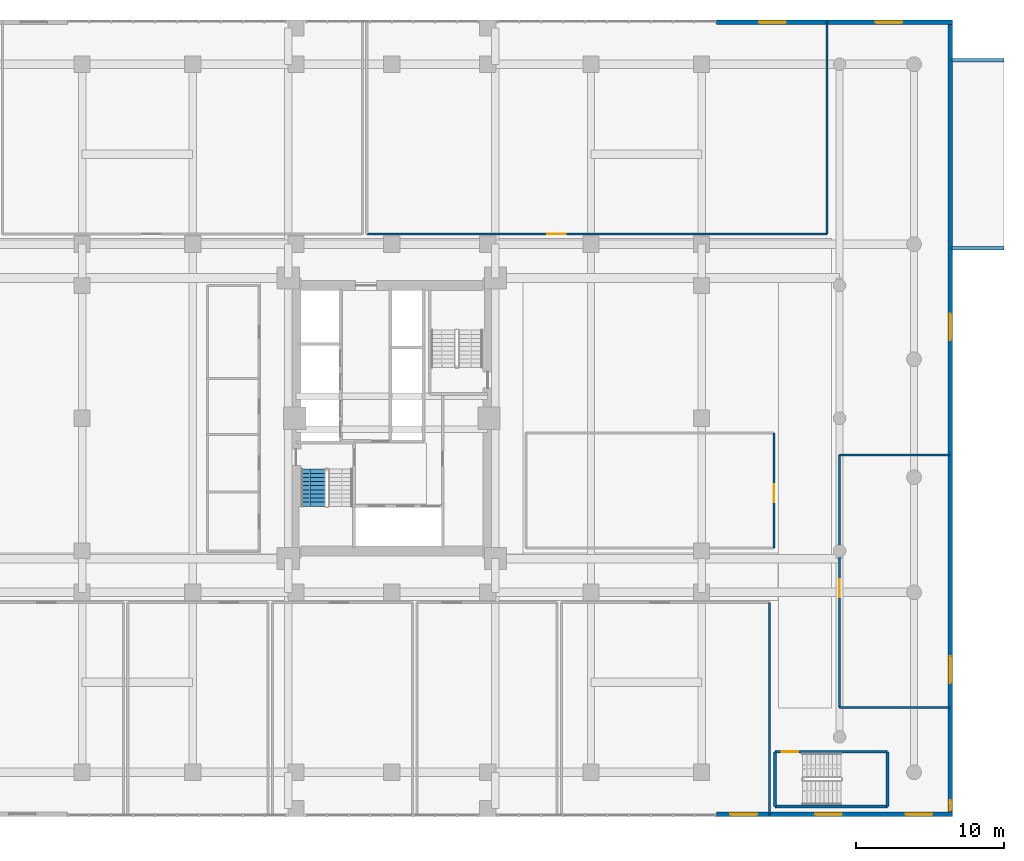
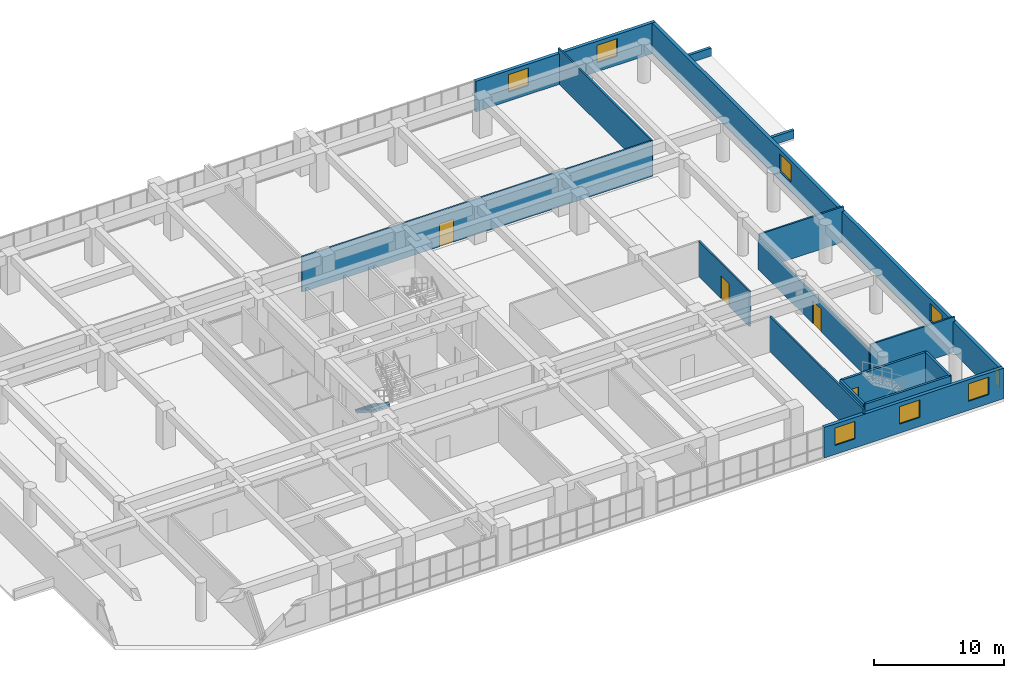
# One storey, part 18 of 27: 16 walls, 8 windows, 4 doors, 1 stair flight, 12 openings, 1 element without a shape of its own.
"""IFC4 building model written with IfcOpenShell, lengths in metres."""

from ifc_helpers import new_model, si_unit, direction, frame, frame_2d, origin, place, context, subcontext, project, spatial, polyline, rectangle, outline, extrude, source, transform, mapped, material, layer, layer_set, type_object, element, fill, aggregate, save


model = new_model("IFC4")

# Units and contexts
model_context = context("Model", 3, precision=1e-05, world=origin(), true_north=direction((0.0, 1.0)))
body_context = subcontext(model_context, "Body", "Model", "MODEL_VIEW")
ifc_project = project(units=[si_unit("LENGTHUNIT", "METRE"), si_unit("AREAUNIT", "SQUARE_METRE"), si_unit("VOLUMEUNIT", "CUBIC_METRE"), si_unit("PLANEANGLEUNIT", "RADIAN"), si_unit("MASSUNIT", "GRAM", prefix="KILO")], contexts=[model_context])

# Site, building, storey
site_placement = place(None, origin())
site = spatial("IfcSite", under=ifc_project, at=site_placement, CompositionType="ELEMENT")
building_placement = place(site_placement, origin())
building = spatial("IfcBuilding", under=site, at=building_placement, Name="Saelheon Loggia Tower", CompositionType="ELEMENT")
storey_placement = place(building_placement, frame((0.0, 0.0, 4.199951171875)))
storey = spatial("IfcBuildingStorey", under=building, at=storey_placement, Name="L01", CompositionType="ELEMENT", Elevation=4.199951171875)

# Wall, openings, windows
ifc_material_1 = material(Name="Architectural Precast Concrete C40/50", Category="concrete")
ifc_layer_1 = layer(ifc_material_1, 0.300048828125)
ifc_layer_set_1 = layer_set([ifc_layer_1], Name="Architectural Precast Concrete C40/50")
wall_type_1 = type_object("IfcWallType", Name="Wall_Ext_Podium_300", PredefinedType="SOLIDWALL", material=ifc_layer_set_1)
wall_1_placement = place(storey_placement, frame((60.0, 0.14990234375, 0.0), z_axis=(0.0, 0.0, 1.0), x_axis=(1.0, 0.0, 0.0)))
wall_1 = element("IfcWall", 1, at=wall_1_placement, inside=storey, type_object=wall_type_1, Name="L01 South-East Precast Wall", PredefinedType="SOLIDWALL", context=body_context, shape_type="SweptSolid", body=[
    extrude(rectangle(XDim=16.0, YDim=0.300048828125, at=frame_2d((8.0, 0.0))), origin(), (0.0, 0.0, 1.0), 2.880126953125),
])
opening_1_placement = place(wall_1_placement, frame((0.955078125, 0.0, 0.85009765625)))
opening_1 = element("IfcOpeningElement", 2, at=opening_1_placement, cuts=wall_1, Name="Opening WN-01", PredefinedType="OPENING", context=body_context, shape_type="SweptSolid", body=[
    extrude(rectangle(XDim=1.800048828125, YDim=1.64990234375, at=frame_2d((0.89990234375, 0.824951171875))), frame((0.0, 0.162109375, 0.0), z_axis=(0.0, -1.0, 0.0), x_axis=(1.0, 0.0, 0.0)), (0.0, 0.0, 1.0), 0.323974609375),
])
opening_2_placement = place(wall_1_placement, frame((6.705078125, 0.0, 0.85009765625)))
opening_2 = element("IfcOpeningElement", 3, at=opening_2_placement, cuts=wall_1, Name="Opening WN-01", PredefinedType="OPENING", context=body_context, shape_type="SweptSolid", body=[
    extrude(rectangle(XDim=1.800048828125, YDim=1.64990234375, at=frame_2d((0.89990234375, 0.824951171875))), frame((0.0, 0.162109375, 0.0), z_axis=(0.0, -1.0, 0.0), x_axis=(1.0, 0.0, 0.0)), (0.0, 0.0, 1.0), 0.323974609375),
])
opening_3_placement = place(wall_1_placement, frame((12.85009765625, 0.0, 0.85009765625)))
opening_3 = element("IfcOpeningElement", 4, at=opening_3_placement, cuts=wall_1, Name="Opening WN-01", PredefinedType="OPENING", context=body_context, shape_type="SweptSolid", body=[
    extrude(rectangle(XDim=1.800048828125, YDim=1.64990234375, at=frame_2d((0.89990234375, 0.824951171875))), frame((0.0, 0.162109375, 0.0), z_axis=(0.0, -1.0, 0.0), x_axis=(1.0, 0.0, 0.0)), (0.0, 0.0, 1.0), 0.323974609375),
])
ifc_material_2 = material(Name="Thermal-Break Aluminium and Triple Low-E Glass", Category="aluminium")
window_type_1 = type_object("IfcWindowType", Name="Win_Dwelling_1800x1650", PartitioningType="SINGLE_PANEL", PredefinedType="WINDOW", material=ifc_material_2)
shared_shape_1 = source(origin(), body_context, "Body", "SweptSolid", [
    extrude(rectangle(XDim=1.800048828125, YDim=1.64990234375, at=frame_2d((0.89990234375, 0.824951171875))), frame((0.0, 0.030029296875, 0.0), z_axis=(0.0, -1.0, 0.0), x_axis=(1.0, 0.0, 0.0)), (0.0, 0.0, 1.0), 0.06005859375),
])
window_1_placement = place(opening_1_placement, origin())
window_1 = element("IfcWindow", 5, at=window_1_placement, inside=storey, type_object=window_type_1, Name="L01 SE Dwelling Window 1", OverallHeight=1.64990234375, OverallWidth=1.800048828125, PartitioningType="SINGLE_PANEL", PredefinedType="WINDOW", context=body_context, shape_type="MappedRepresentation", body=[
    mapped(shared_shape_1, transform((0.0, 0.0, 0.0), scale=1.0)),
])
fill(opening_1, window_1)
window_2_placement = place(opening_2_placement, origin())
window_2 = element("IfcWindow", 6, at=window_2_placement, inside=storey, type_object=window_type_1, Name="L01 SE Dwelling Window 2", OverallHeight=1.64990234375, OverallWidth=1.800048828125, PartitioningType="SINGLE_PANEL", PredefinedType="WINDOW", context=body_context, shape_type="MappedRepresentation", body=[
    mapped(shared_shape_1, transform((0.0, 0.0, 0.0), scale=1.0)),
])
fill(opening_2, window_2)
window_3_placement = place(opening_3_placement, origin())
window_3 = element("IfcWindow", 7, at=window_3_placement, inside=storey, type_object=window_type_1, Name="L01 SE Dwelling Window 3", OverallHeight=1.64990234375, OverallWidth=1.800048828125, PartitioningType="SINGLE_PANEL", PredefinedType="WINDOW", context=body_context, shape_type="MappedRepresentation", body=[
    mapped(shared_shape_1, transform((0.0, 0.0, 0.0), scale=1.0)),
])
fill(opening_3, window_3)

wall_2_placement = place(storey_placement, frame((60.0, 53.85009765625, 0.0), z_axis=(0.0, 0.0, 1.0), x_axis=(1.0, 0.0, 0.0)))
wall_2 = element("IfcWall", 8, at=wall_2_placement, inside=storey, type_object=wall_type_1, Name="L01 North-East Precast Wall", PredefinedType="SOLIDWALL", context=body_context, shape_type="SweptSolid", body=[
    extrude(rectangle(XDim=16.0, YDim=0.300048828125, at=frame_2d((8.0, 0.0))), origin(), (0.0, 0.0, 1.0), 2.880126953125),
])
opening_4_placement = place(wall_2_placement, frame((2.905029296875, 0.0, 0.85009765625)))
opening_4 = element("IfcOpeningElement", 9, at=opening_4_placement, cuts=wall_2, Name="Opening WN-01", PredefinedType="OPENING", context=body_context, shape_type="SweptSolid", body=[
    extrude(rectangle(XDim=1.800048828125, YDim=1.64990234375, at=frame_2d((0.89990234375, 0.824951171875))), frame((0.0, 0.162109375, 0.0), z_axis=(0.0, -1.0, 0.0), x_axis=(1.0, 0.0, 0.0)), (0.0, 0.0, 1.0), 0.323974609375),
])
opening_5_placement = place(wall_2_placement, frame((10.794921875, 0.0, 0.85009765625)))
opening_5 = element("IfcOpeningElement", 10, at=opening_5_placement, cuts=wall_2, Name="Opening WN-01", PredefinedType="OPENING", context=body_context, shape_type="SweptSolid", body=[
    extrude(rectangle(XDim=1.800048828125, YDim=1.64990234375, at=frame_2d((0.89990234375, 0.824951171875))), frame((0.0, 0.162109375, 0.0), z_axis=(0.0, -1.0, 0.0), x_axis=(1.0, 0.0, 0.0)), (0.0, 0.0, 1.0), 0.323974609375),
])
window_4_placement = place(opening_4_placement, origin())
window_4 = element("IfcWindow", 11, at=window_4_placement, inside=storey, type_object=window_type_1, Name="L01 NE Dwelling Window 1", OverallHeight=1.64990234375, OverallWidth=1.800048828125, PartitioningType="SINGLE_PANEL", PredefinedType="WINDOW", context=body_context, shape_type="MappedRepresentation", body=[
    mapped(shared_shape_1, transform((0.0, 0.0, 0.0), scale=1.0)),
])
fill(opening_4, window_4)
window_5_placement = place(opening_5_placement, origin())
window_5 = element("IfcWindow", 12, at=window_5_placement, inside=storey, type_object=window_type_1, Name="L01 NE Dwelling Window 2", OverallHeight=1.64990234375, OverallWidth=1.800048828125, PartitioningType="SINGLE_PANEL", PredefinedType="WINDOW", context=body_context, shape_type="MappedRepresentation", body=[
    mapped(shared_shape_1, transform((0.0, 0.0, 0.0), scale=1.0)),
])
fill(opening_5, window_5)

wall_3_placement = place(storey_placement, frame((75.85009765625, 0.0, 0.0), z_axis=(0.0, 0.0, 1.0), x_axis=(0.0, 1.0, 0.0)))
wall_3 = element("IfcWall", 13, at=wall_3_placement, inside=storey, type_object=wall_type_1, Name="L01 East Precast Wall", PredefinedType="SOLIDWALL", context=body_context, shape_type="SweptSolid", body=[
    extrude(rectangle(XDim=54.0, YDim=0.300048828125, at=frame_2d((27.0, 0.0))), origin(), (0.0, 0.0, 1.0), 2.880126953125),
])
opening_6_placement = place(wall_3_placement, frame((0.405029296875, 0.0, 0.85009765625)))
opening_6 = element("IfcOpeningElement", 14, at=opening_6_placement, cuts=wall_3, Name="Opening WN-06", PredefinedType="OPENING", context=body_context, shape_type="SweptSolid", body=[
    extrude(rectangle(XDim=0.699951171875, YDim=1.5, at=frame_2d((0.35009765625, 0.75))), frame((0.0, 0.162109375, 0.0), z_axis=(0.0, -1.0, 0.0), x_axis=(1.0, 0.0, 0.0)), (0.0, 0.0, 1.0), 0.323974609375),
])
opening_7_placement = place(wall_3_placement, frame((9.050048828125, 0.0, 0.85009765625)))
opening_7 = element("IfcOpeningElement", 15, at=opening_7_placement, cuts=wall_3, Name="Opening WN-01", PredefinedType="OPENING", context=body_context, shape_type="SweptSolid", body=[
    extrude(rectangle(XDim=1.800048828125, YDim=1.64990234375, at=frame_2d((0.89990234375, 0.824951171875))), frame((0.0, 0.162109375, 0.0), z_axis=(0.0, -1.0, 0.0), x_axis=(1.0, 0.0, 0.0)), (0.0, 0.0, 1.0), 0.323974609375),
])
opening_8_placement = place(wall_3_placement, frame((32.294921875, 0.0, 0.85009765625)))
opening_8 = element("IfcOpeningElement", 16, at=opening_8_placement, cuts=wall_3, Name="Opening WN-01", PredefinedType="OPENING", context=body_context, shape_type="SweptSolid", body=[
    extrude(rectangle(XDim=1.800048828125, YDim=1.64990234375, at=frame_2d((0.89990234375, 0.824951171875))), frame((0.0, 0.162109375, 0.0), z_axis=(0.0, -1.0, 0.0), x_axis=(1.0, 0.0, 0.0)), (0.0, 0.0, 1.0), 0.323974609375),
])
window_6_placement = place(opening_7_placement, origin())
window_6 = element("IfcWindow", 17, at=window_6_placement, inside=storey, type_object=window_type_1, Name="L01 E Dwelling Window 2", OverallHeight=1.64990234375, OverallWidth=1.800048828125, PartitioningType="SINGLE_PANEL", PredefinedType="WINDOW", context=body_context, shape_type="MappedRepresentation", body=[
    mapped(shared_shape_1, transform((0.0, 0.0, 0.0), scale=1.0)),
])
fill(opening_7, window_6)
window_7_placement = place(opening_8_placement, origin())
window_7 = element("IfcWindow", 18, at=window_7_placement, inside=storey, type_object=window_type_1, Name="L01 E Dwelling Window 3", OverallHeight=1.64990234375, OverallWidth=1.800048828125, PartitioningType="SINGLE_PANEL", PredefinedType="WINDOW", context=body_context, shape_type="MappedRepresentation", body=[
    mapped(shared_shape_1, transform((0.0, 0.0, 0.0), scale=1.0)),
])
fill(opening_8, window_7)
window_type_2 = type_object("IfcWindowType", Name="Win_Slot_700x1500", PartitioningType="SINGLE_PANEL", PredefinedType="WINDOW", material=ifc_material_2)
shared_shape_2 = source(origin(), body_context, "Body", "SweptSolid", [
    extrude(rectangle(XDim=0.699951171875, YDim=1.5, at=frame_2d((0.35009765625, 0.75))), frame((0.0, 0.030029296875, 0.0), z_axis=(0.0, -1.0, 0.0), x_axis=(1.0, 0.0, 0.0)), (0.0, 0.0, 1.0), 0.06005859375),
])
window_8_placement = place(opening_6_placement, origin())
window_8 = element("IfcWindow", 19, at=window_8_placement, inside=storey, type_object=window_type_2, Name="L01 E Dwelling Window 1", OverallHeight=1.5, OverallWidth=0.699951171875, PartitioningType="SINGLE_PANEL", PredefinedType="WINDOW", context=body_context, shape_type="MappedRepresentation", body=[
    mapped(shared_shape_2, transform((0.0, 0.0, 0.0), scale=1.0)),
])
fill(opening_6, window_8)

# Walls
ifc_layer_2 = layer(ifc_material_1, 0.25)
ifc_layer_set_2 = layer_set([ifc_layer_2], Name="Architectural Precast Concrete C40/50")
wall_type_2 = type_object("IfcWallType", Name="Wall_Parapet_250", PredefinedType="PARAPET", material=ifc_layer_set_2)
for number, where, z_axis, x_axis, name in (
    (20, (75.97998046875, 38.52001953125, 0.0), (0.0, 0.0, 1.0), (1.0, 0.0, 0.0), "E Entrance Canopy South Parapet"),
    (21, (75.97998046875, 51.280029296875, 0.0), (0.0, 0.0, 1.0), (1.0, 0.0, 0.0), "E Entrance Canopy North Parapet"),
):
    element("IfcWall", number, at=place(storey_placement, frame(where, z_axis=z_axis, x_axis=x_axis)), inside=storey, type_object=wall_type_2, Name=name, PredefinedType="PARAPET", context=body_context, shape_type="SweptSolid", body=[
        extrude(rectangle(XDim=3.52001953125, YDim=0.25, at=frame_2d((1.760009765625, 0.0))), origin(), (0.0, 0.0, 1.0), 0.75),
    ])
ifc_material_3 = material(Name="Lightweight Autoclaved Aerated Concrete Block and Acoustic Gypsum", Category="concrete")
ifc_layer_3 = layer(ifc_material_3, 0.14990234375)
ifc_layer_set_3 = layer_set([ifc_layer_3], Name="Lightweight Autoclaved Aerated Concrete Block and Acoustic Gypsum")
wall_type_3 = type_object("IfcWallType", Name="Wall_Part_150", PredefinedType="PARTITIONING", material=ifc_layer_set_3)
wall_4_placement = place(storey_placement, frame((63.60009765625, 0.10009765625, 0.0), z_axis=(0.0, 0.0, 1.0), x_axis=(0.0, 1.0, 0.0)))
element("IfcWall", 22, at=wall_4_placement, inside=storey, type_object=wall_type_3, Name="PW-L01-FAM2B-E", PredefinedType="PARTITIONING", context=body_context, shape_type="SweptSolid", body=[
    extrude(rectangle(XDim=14.39990234375, YDim=0.14990234375, at=frame_2d((7.199951171875, 0.0))), origin(), (0.0, 0.0, 1.0), 3.320068359375),
])
for number, where, z_axis, x_axis, name in (
    (23, (68.35009765625, 7.39990234375, 0.0), (0.0, 0.0, 1.0), (1.0, 0.0, 0.0), "PW-L01-ENDO-S"),
    (24, (68.35009765625, 24.5, 0.0), (0.0, 0.0, 1.0), (1.0, 0.0, 0.0), "PW-L01-ENDO-N"),
):
    element("IfcWall", number, at=place(storey_placement, frame(where, z_axis=z_axis, x_axis=x_axis)), inside=storey, type_object=wall_type_3, Name=name, PredefinedType="PARTITIONING", context=body_context, shape_type="SweptSolid", body=[
        extrude(rectangle(XDim=7.5, YDim=0.14990234375, at=frame_2d((3.75, 0.0))), origin(), (0.0, 0.0, 1.0), 3.320068359375),
    ])

# Wall, opening, door
wall_5_placement = place(storey_placement, frame((68.35009765625, 7.39990234375, 0.0), z_axis=(0.0, 0.0, 1.0), x_axis=(0.0, 1.0, 0.0)))
wall_5 = element("IfcWall", 25, at=wall_5_placement, inside=storey, type_object=wall_type_3, Name="PW-L01-ENDO-W", PredefinedType="PARTITIONING", context=body_context, shape_type="SweptSolid", body=[
    extrude(rectangle(XDim=17.10009765625, YDim=0.14990234375, at=frame_2d((8.550048828125, 0.0))), origin(), (0.0, 0.0, 1.0), 2.840087890625),
])
opening_9_placement = place(wall_5_placement, frame((7.45166015625, 0.0, 0.0)))
opening_9 = element("IfcOpeningElement", 26, at=opening_9_placement, cuts=wall_5, Name="Opening D-CL1", PredefinedType="OPENING", context=body_context, shape_type="SweptSolid", body=[
    extrude(rectangle(XDim=1.25, YDim=2.14990234375, at=frame_2d((0.625, 1.074951171875))), frame((0.0, 0.0869140625, 0.0), z_axis=(0.0, -1.0, 0.0), x_axis=(1.0, 0.0, 0.0)), (0.0, 0.0, 1.0), 0.173828125),
])
ifc_material_4 = material(Name="Antimicrobial Hospital Laminate Door", Category="timber")
door_type_1 = type_object("IfcDoorType", Name="Door_Clinic_1250", OperationType="NOTDEFINED", PredefinedType="DOOR", material=ifc_material_4)
shared_shape_3 = source(origin(), body_context, "Body", "SweptSolid", [
    extrude(rectangle(XDim=1.25, YDim=2.14990234375, at=frame_2d((0.625, 1.074951171875))), frame((0.0, 0.02490234375, 0.0), z_axis=(0.0, -1.0, 0.0), x_axis=(1.0, 0.0, 0.0)), (0.0, 0.0, 1.0), 0.050048828125),
])
door_1_placement = place(opening_9_placement, origin())
door_1 = element("IfcDoor", 27, at=door_1_placement, inside=storey, type_object=door_type_1, Name="L01 Endocrinology Clinic Door", OperationType="SINGLE_SWING_RIGHT", OverallHeight=2.14990234375, OverallWidth=1.25, PredefinedType="DOOR", context=body_context, shape_type="MappedRepresentation", body=[
    mapped(shared_shape_3, transform((0.0, 0.0, 0.0), scale=1.0)),
])
fill(opening_9, door_1)

wall_6_placement = place(storey_placement, frame((36.300048828125, 39.5, 0.0), z_axis=(0.0, 0.0, 1.0), x_axis=(1.0, 0.0, 0.0)))
wall_6 = element("IfcWall", 28, at=wall_6_placement, inside=storey, type_object=wall_type_3, Name="PW-L01-GERI-S", PredefinedType="PARTITIONING", context=body_context, shape_type="SweptSolid", body=[
    extrude(rectangle(XDim=31.199951171875, YDim=0.14990234375, at=frame_2d((15.60009765625, 0.0))), origin(), (0.0, 0.0, 1.0), 3.320068359375),
])
opening_10_placement = place(wall_6_placement, frame((12.23291015625, 0.0, 0.0)))
opening_10 = element("IfcOpeningElement", 29, at=opening_10_placement, cuts=wall_6, Name="Opening D-CL1", PredefinedType="OPENING", context=body_context, shape_type="SweptSolid", body=[
    extrude(rectangle(XDim=1.25, YDim=2.14990234375, at=frame_2d((0.625, 1.074951171875))), frame((0.0, 0.0869140625, 0.0), z_axis=(0.0, -1.0, 0.0), x_axis=(1.0, 0.0, 0.0)), (0.0, 0.0, 1.0), 0.173828125),
])
door_2_placement = place(opening_10_placement, origin())
door_2 = element("IfcDoor", 30, at=door_2_placement, inside=storey, type_object=door_type_1, Name="L01 Geriatric Day Activity Hall Door", OperationType="SINGLE_SWING_RIGHT", OverallHeight=2.14990234375, OverallWidth=1.25, PredefinedType="DOOR", context=body_context, shape_type="MappedRepresentation", body=[
    mapped(shared_shape_3, transform((0.0, 0.0, 0.0), scale=1.0)),
])
fill(opening_10, door_2)

# Wall
wall_7_placement = place(storey_placement, frame((67.5, 39.5, 0.0), z_axis=(0.0, 0.0, 1.0), x_axis=(0.0, 1.0, 0.0)))
element("IfcWall", 31, at=wall_7_placement, inside=storey, type_object=wall_type_3, Name="PW-L01-GERI-E", PredefinedType="PARTITIONING", context=body_context, shape_type="SweptSolid", body=[
    extrude(rectangle(XDim=14.39990234375, YDim=0.14990234375, at=frame_2d((7.199951171875, 0.0))), origin(), (0.0, 0.0, 1.0), 3.320068359375),
])

# Wall, opening, door
wall_8_placement = place(storey_placement, frame((63.89990234375, 18.199951171875, 0.0), z_axis=(0.0, 0.0, 1.0), x_axis=(0.0, 1.0, 0.0)))
wall_8 = element("IfcWall", 32, at=wall_8_placement, inside=storey, type_object=wall_type_3, Name="PW-L01-NURSE1-E", PredefinedType="PARTITIONING", context=body_context, shape_type="SweptSolid", body=[
    extrude(rectangle(XDim=7.800048828125, YDim=0.14990234375, at=frame_2d((3.89990234375, 0.0))), origin(), (0.0, 0.0, 1.0), 3.320068359375),
])
opening_11_placement = place(wall_8_placement, frame((3.09228515625, 0.0, 0.0)))
opening_11 = element("IfcOpeningElement", 33, at=opening_11_placement, cuts=wall_8, Name="Opening D-CL1", PredefinedType="OPENING", context=body_context, shape_type="SweptSolid", body=[
    extrude(rectangle(XDim=1.25, YDim=2.14990234375, at=frame_2d((0.625, 1.074951171875))), frame((0.0, 0.0869140625, 0.0), z_axis=(0.0, -1.0, 0.0), x_axis=(1.0, 0.0, 0.0)), (0.0, 0.0, 1.0), 0.173828125),
])
door_3_placement = place(opening_11_placement, origin())
door_3 = element("IfcDoor", 34, at=door_3_placement, inside=storey, type_object=door_type_1, Name="L01 Vaccination Clinic Door", OperationType="SINGLE_SWING_LEFT", OverallHeight=2.14990234375, OverallWidth=1.25, PredefinedType="DOOR", context=body_context, shape_type="MappedRepresentation", body=[
    mapped(shared_shape_3, transform((0.0, 0.0, 0.0), scale=1.0)),
])
fill(opening_11, door_3)

# Wall
ifc_material_5 = material(Name="Concrete C45/55", Category="concrete")
ifc_layer_4 = layer(ifc_material_5, 0.199951171875)
ifc_layer_set_4 = layer_set([ifc_layer_4], Name="Concrete C45/55")
wall_type_4 = type_object("IfcWallType", Name="Wall_StairShaft_RC200", PredefinedType="SOLIDWALL", material=ifc_layer_set_4)
wall_9_placement = place(storey_placement, frame((63.989990234375, 0.68994140625, 0.0), z_axis=(0.0, 0.0, 1.0), x_axis=(1.0, 0.0, 0.0)))
element("IfcWall", 35, at=wall_9_placement, inside=storey, type_object=wall_type_4, Name="L01 ST4 Shaft South Wall", PredefinedType="SOLIDWALL", context=body_context, shape_type="SweptSolid", body=[
    extrude(rectangle(XDim=7.6201171875, YDim=0.199951171875, at=frame_2d((3.81005859375, 0.0))), origin(), (0.0, 0.0, 1.0), 3.320068359375),
])

# Wall, opening, door
wall_10_placement = place(storey_placement, frame((63.989990234375, 4.389892578125, 0.0), z_axis=(0.0, 0.0, 1.0), x_axis=(1.0, 0.0, 0.0)))
wall_10 = element("IfcWall", 36, at=wall_10_placement, inside=storey, type_object=wall_type_4, Name="L01 ST4 Shaft North Wall", PredefinedType="SOLIDWALL", context=body_context, shape_type="SweptSolid", body=[
    extrude(rectangle(XDim=7.6201171875, YDim=0.199951171875, at=frame_2d((3.81005859375, 0.0))), origin(), (0.0, 0.0, 1.0), 3.320068359375),
])
opening_12_placement = place(wall_10_placement, frame((0.449951171875, 0.0, 0.0)))
opening_12 = element("IfcOpeningElement", 37, at=opening_12_placement, cuts=wall_10, Name="Opening D-FD2", PredefinedType="OPENING", context=body_context, shape_type="SweptSolid", body=[
    extrude(rectangle(XDim=1.10009765625, YDim=2.14990234375, at=frame_2d((0.550048828125, 1.074951171875))), frame((0.0, 0.112060546875, 0.0), z_axis=(0.0, -1.0, 0.0), x_axis=(1.0, 0.0, 0.0)), (0.0, 0.0, 1.0), 0.223876953125),
])
ifc_material_6 = material(Name="Galvanised Steel Fire Door", Category="steel")
door_type_2 = type_object("IfcDoorType", Name="Door_Fire_FD60_1100", OperationType="NOTDEFINED", PredefinedType="DOOR", material=ifc_material_6)
shared_shape_4 = source(origin(), body_context, "Body", "SweptSolid", [
    extrude(rectangle(XDim=1.10009765625, YDim=2.14990234375, at=frame_2d((0.550048828125, 1.074951171875))), frame((0.0, 0.02490234375, 0.0), z_axis=(0.0, -1.0, 0.0), x_axis=(1.0, 0.0, 0.0)), (0.0, 0.0, 1.0), 0.050048828125),
])
door_4_placement = place(opening_12_placement, origin())
door_4 = element("IfcDoor", 38, at=door_4_placement, inside=storey, type_object=door_type_2, Name="L01 Escape Stair ST4 Door", OperationType="SINGLE_SWING_LEFT", OverallHeight=2.14990234375, OverallWidth=1.10009765625, PredefinedType="DOOR", context=body_context, shape_type="MappedRepresentation", body=[
    mapped(shared_shape_4, transform((0.0, 0.0, 0.0), scale=1.0)),
])
fill(opening_12, door_4)

# Walls
for number, where, z_axis, x_axis, name in (
    (39, (63.989990234375, 0.68994140625, 0.0), (0.0, 0.0, 1.0), (0.0, 1.0, 0.0), "L01 ST4 Shaft West Wall"),
    (40, (71.610107421875, 0.68994140625, 0.0), (0.0, 0.0, 1.0), (0.0, 1.0, 0.0), "L01 ST4 Shaft East Wall"),
):
    element("IfcWall", number, at=place(storey_placement, frame(where, z_axis=z_axis, x_axis=x_axis)), inside=storey, type_object=wall_type_4, Name=name, PredefinedType="SOLIDWALL", context=body_context, shape_type="SweptSolid", body=[
        extrude(rectangle(XDim=3.699951171875, YDim=0.199951171875, at=frame_2d((1.85009765625, 0.0))), origin(), (0.0, 0.0, 1.0), 3.320068359375),
    ])

# Stair, stair flight
ifc_material_7 = material(Name="Concrete C40/50", Category="concrete")
stair_type = type_object("IfcStairType", Name="Stair_Escape_Core", PredefinedType="HALF_TURN_STAIR", material=ifc_material_7)
stair_placement = place(storey_placement, origin())
stair = element("IfcStair", 41, at=stair_placement, inside=storey, type_object=stair_type, Name="L01 Special Escape Stair ST1", PredefinedType="HALF_TURN_STAIR")
stair_flight_type = type_object("IfcStairFlightType", Name="StairFlight_Tower_1660", PredefinedType="STRAIGHT", material=ifc_material_7)
stair_flight_placement = place(storey_placement, frame((32.679931640625, 23.550048828125, 0.0), z_axis=(0.0, 0.0, 1.0), x_axis=(0.0, -1.0, 0.0)))
stair_flight = element("IfcStairFlight", 42, at=stair_flight_placement, type_object=stair_flight_type, Name="ST1 flight 1", NumberOfRisers=10, NumberOfTreads=9, PredefinedType="STRAIGHT", RiserHeight=0.18, TreadLength=0.28, context=body_context, shape_type="SweptSolid", body=[
    extrude(outline(polyline([(0.0, 0.0), (0.0, 0.179931640625), (0.280029296875, 0.179931640625), (0.280029296875, 0.360107421875), (0.56005859375, 0.360107421875), (0.56005859375, 0.5400390625), (0.840087890625, 0.5400390625), (0.840087890625, 0.719970703125), (1.1201171875, 0.719970703125), (1.1201171875, 0.89990234375), (1.39990234375, 0.89990234375), (1.39990234375, 1.080078125), (1.679931640625, 1.080078125), (1.679931640625, 1.260009765625), (1.9599609375, 1.260009765625), (1.9599609375, 1.43994140625), (2.239990234375, 1.43994140625), (2.239990234375, 1.6201171875), (2.52001953125, 1.6201171875), (2.52001953125, 1.800048828125), (2.52001953125, 1.406005859375), (0.332763671875, 0.0), (0.0, 0.0)])), frame((0.0, -0.2490234375, 0.0), z_axis=(0.0, -1.0, 0.0), x_axis=(1.0, 0.0, 0.0)), (0.0, 0.0, 1.0), 0.5810546875),
    extrude(outline(polyline([(0.0, 0.0), (0.0, 0.179931640625), (0.280029296875, 0.179931640625), (0.280029296875, 0.360107421875), (0.56005859375, 0.360107421875), (0.56005859375, 0.5400390625), (0.840087890625, 0.5400390625), (0.840087890625, 0.719970703125), (1.1201171875, 0.719970703125), (1.1201171875, 0.89990234375), (1.39990234375, 0.89990234375), (1.39990234375, 1.080078125), (1.679931640625, 1.080078125), (1.679931640625, 1.260009765625), (1.9599609375, 1.260009765625), (1.9599609375, 1.43994140625), (2.239990234375, 1.43994140625), (2.239990234375, 1.6201171875), (2.52001953125, 1.6201171875), (2.52001953125, 1.800048828125), (2.52001953125, 1.406005859375), (0.332763671875, 0.0), (0.0, 0.0)])), frame((0.0, -0.194091796875, 0.0), z_axis=(0.0, -1.0, 0.0), x_axis=(1.0, 0.0, 0.0)), (0.0, 0.0, 1.0), 0.0498046875),
    extrude(outline(polyline([(0.0, 0.0), (0.0, 0.179931640625), (0.280029296875, 0.179931640625), (0.280029296875, 0.360107421875), (0.56005859375, 0.360107421875), (0.56005859375, 0.5400390625), (0.840087890625, 0.5400390625), (0.840087890625, 0.719970703125), (1.1201171875, 0.719970703125), (1.1201171875, 0.89990234375), (1.39990234375, 0.89990234375), (1.39990234375, 1.080078125), (1.679931640625, 1.080078125), (1.679931640625, 1.260009765625), (1.9599609375, 1.260009765625), (1.9599609375, 1.43994140625), (2.239990234375, 1.43994140625), (2.239990234375, 1.6201171875), (2.52001953125, 1.6201171875), (2.52001953125, 1.800048828125), (2.52001953125, 1.406005859375), (0.332763671875, 0.0), (0.0, 0.0)])), frame((0.0, -0.139404296875, 0.0), z_axis=(0.0, -1.0, 0.0), x_axis=(1.0, 0.0, 0.0)), (0.0, 0.0, 1.0), 0.0498046875),
    extrude(outline(polyline([(0.0, 0.0), (0.0, 0.179931640625), (0.280029296875, 0.179931640625), (0.280029296875, 0.360107421875), (0.56005859375, 0.360107421875), (0.56005859375, 0.5400390625), (0.840087890625, 0.5400390625), (0.840087890625, 0.719970703125), (1.1201171875, 0.719970703125), (1.1201171875, 0.89990234375), (1.39990234375, 0.89990234375), (1.39990234375, 1.080078125), (1.679931640625, 1.080078125), (1.679931640625, 1.260009765625), (1.9599609375, 1.260009765625), (1.9599609375, 1.43994140625), (2.239990234375, 1.43994140625), (2.239990234375, 1.6201171875), (2.52001953125, 1.6201171875), (2.52001953125, 1.800048828125), (2.52001953125, 1.406005859375), (0.332763671875, 0.0), (0.0, 0.0)])), frame((0.0, -0.084716796875, 0.0), z_axis=(0.0, -1.0, 0.0), x_axis=(1.0, 0.0, 0.0)), (0.0, 0.0, 1.0), 0.0498046875),
    extrude(outline(polyline([(0.0, 0.0), (0.0, 0.179931640625), (0.280029296875, 0.179931640625), (0.280029296875, 0.360107421875), (0.56005859375, 0.360107421875), (0.56005859375, 0.5400390625), (0.840087890625, 0.5400390625), (0.840087890625, 0.719970703125), (1.1201171875, 0.719970703125), (1.1201171875, 0.89990234375), (1.39990234375, 0.89990234375), (1.39990234375, 1.080078125), (1.679931640625, 1.080078125), (1.679931640625, 1.260009765625), (1.9599609375, 1.260009765625), (1.9599609375, 1.43994140625), (2.239990234375, 1.43994140625), (2.239990234375, 1.6201171875), (2.52001953125, 1.6201171875), (2.52001953125, 1.800048828125), (2.52001953125, 1.406005859375), (0.332763671875, 0.0), (0.0, 0.0)])), frame((0.0, -0.02978515625, 0.0), z_axis=(0.0, -1.0, 0.0), x_axis=(1.0, 0.0, 0.0)), (0.0, 0.0, 1.0), 0.0498046875),
    extrude(outline(polyline([(0.0, 0.0), (0.0, 0.179931640625), (0.280029296875, 0.179931640625), (0.280029296875, 0.360107421875), (0.56005859375, 0.360107421875), (0.56005859375, 0.5400390625), (0.840087890625, 0.5400390625), (0.840087890625, 0.719970703125), (1.1201171875, 0.719970703125), (1.1201171875, 0.89990234375), (1.39990234375, 0.89990234375), (1.39990234375, 1.080078125), (1.679931640625, 1.080078125), (1.679931640625, 1.260009765625), (1.9599609375, 1.260009765625), (1.9599609375, 1.43994140625), (2.239990234375, 1.43994140625), (2.239990234375, 1.6201171875), (2.52001953125, 1.6201171875), (2.52001953125, 1.800048828125), (2.52001953125, 1.406005859375), (0.332763671875, 0.0), (0.0, 0.0)])), frame((0.0, 0.02490234375, 0.0), z_axis=(0.0, -1.0, 0.0), x_axis=(1.0, 0.0, 0.0)), (0.0, 0.0, 1.0), 0.0498046875),
    extrude(outline(polyline([(0.0, 0.0), (0.0, 0.179931640625), (0.280029296875, 0.179931640625), (0.280029296875, 0.360107421875), (0.56005859375, 0.360107421875), (0.56005859375, 0.5400390625), (0.840087890625, 0.5400390625), (0.840087890625, 0.719970703125), (1.1201171875, 0.719970703125), (1.1201171875, 0.89990234375), (1.39990234375, 0.89990234375), (1.39990234375, 1.080078125), (1.679931640625, 1.080078125), (1.679931640625, 1.260009765625), (1.9599609375, 1.260009765625), (1.9599609375, 1.43994140625), (2.239990234375, 1.43994140625), (2.239990234375, 1.6201171875), (2.52001953125, 1.6201171875), (2.52001953125, 1.800048828125), (2.52001953125, 1.406005859375), (0.332763671875, 0.0), (0.0, 0.0)])), frame((0.0, 0.07958984375, 0.0), z_axis=(0.0, -1.0, 0.0), x_axis=(1.0, 0.0, 0.0)), (0.0, 0.0, 1.0), 0.0498046875),
    extrude(outline(polyline([(0.0, 0.0), (0.0, 0.179931640625), (0.280029296875, 0.179931640625), (0.280029296875, 0.360107421875), (0.56005859375, 0.360107421875), (0.56005859375, 0.5400390625), (0.840087890625, 0.5400390625), (0.840087890625, 0.719970703125), (1.1201171875, 0.719970703125), (1.1201171875, 0.89990234375), (1.39990234375, 0.89990234375), (1.39990234375, 1.080078125), (1.679931640625, 1.080078125), (1.679931640625, 1.260009765625), (1.9599609375, 1.260009765625), (1.9599609375, 1.43994140625), (2.239990234375, 1.43994140625), (2.239990234375, 1.6201171875), (2.52001953125, 1.6201171875), (2.52001953125, 1.800048828125), (2.52001953125, 1.406005859375), (0.332763671875, 0.0), (0.0, 0.0)])), frame((0.0, 0.134521484375, 0.0), z_axis=(0.0, -1.0, 0.0), x_axis=(1.0, 0.0, 0.0)), (0.0, 0.0, 1.0), 0.0498046875),
    extrude(outline(polyline([(0.0, 0.0), (0.0, 0.179931640625), (0.280029296875, 0.179931640625), (0.280029296875, 0.360107421875), (0.56005859375, 0.360107421875), (0.56005859375, 0.5400390625), (0.840087890625, 0.5400390625), (0.840087890625, 0.719970703125), (1.1201171875, 0.719970703125), (1.1201171875, 0.89990234375), (1.39990234375, 0.89990234375), (1.39990234375, 1.080078125), (1.679931640625, 1.080078125), (1.679931640625, 1.260009765625), (1.9599609375, 1.260009765625), (1.9599609375, 1.43994140625), (2.239990234375, 1.43994140625), (2.239990234375, 1.6201171875), (2.52001953125, 1.6201171875), (2.52001953125, 1.800048828125), (2.52001953125, 1.406005859375), (0.332763671875, 0.0), (0.0, 0.0)])), frame((0.0, 0.189208984375, 0.0), z_axis=(0.0, -1.0, 0.0), x_axis=(1.0, 0.0, 0.0)), (0.0, 0.0, 1.0), 0.0498046875),
    extrude(outline(polyline([(0.0, 0.0), (0.0, 0.179931640625), (0.280029296875, 0.179931640625), (0.280029296875, 0.360107421875), (0.56005859375, 0.360107421875), (0.56005859375, 0.5400390625), (0.840087890625, 0.5400390625), (0.840087890625, 0.719970703125), (1.1201171875, 0.719970703125), (1.1201171875, 0.89990234375), (1.39990234375, 0.89990234375), (1.39990234375, 1.080078125), (1.679931640625, 1.080078125), (1.679931640625, 1.260009765625), (1.9599609375, 1.260009765625), (1.9599609375, 1.43994140625), (2.239990234375, 1.43994140625), (2.239990234375, 1.6201171875), (2.52001953125, 1.6201171875), (2.52001953125, 1.800048828125), (2.52001953125, 1.406005859375), (0.332763671875, 0.0), (0.0, 0.0)])), frame((0.0, 0.243896484375, 0.0), z_axis=(0.0, -1.0, 0.0), x_axis=(1.0, 0.0, 0.0)), (0.0, 0.0, 1.0), 0.0498046875),
    extrude(outline(polyline([(0.0, 0.0), (0.0, 0.179931640625), (0.280029296875, 0.179931640625), (0.280029296875, 0.360107421875), (0.56005859375, 0.360107421875), (0.56005859375, 0.5400390625), (0.840087890625, 0.5400390625), (0.840087890625, 0.719970703125), (1.1201171875, 0.719970703125), (1.1201171875, 0.89990234375), (1.39990234375, 0.89990234375), (1.39990234375, 1.080078125), (1.679931640625, 1.080078125), (1.679931640625, 1.260009765625), (1.9599609375, 1.260009765625), (1.9599609375, 1.43994140625), (2.239990234375, 1.43994140625), (2.239990234375, 1.6201171875), (2.52001953125, 1.6201171875), (2.52001953125, 1.800048828125), (2.52001953125, 1.406005859375), (0.332763671875, 0.0), (0.0, 0.0)])), frame((0.0, 0.830078125, 0.0), z_axis=(0.0, -1.0, 0.0), x_axis=(1.0, 0.0, 0.0)), (0.0, 0.0, 1.0), 0.5810546875),
])
aggregate(stair, [stair_flight])

save(model, "model.ifc")
